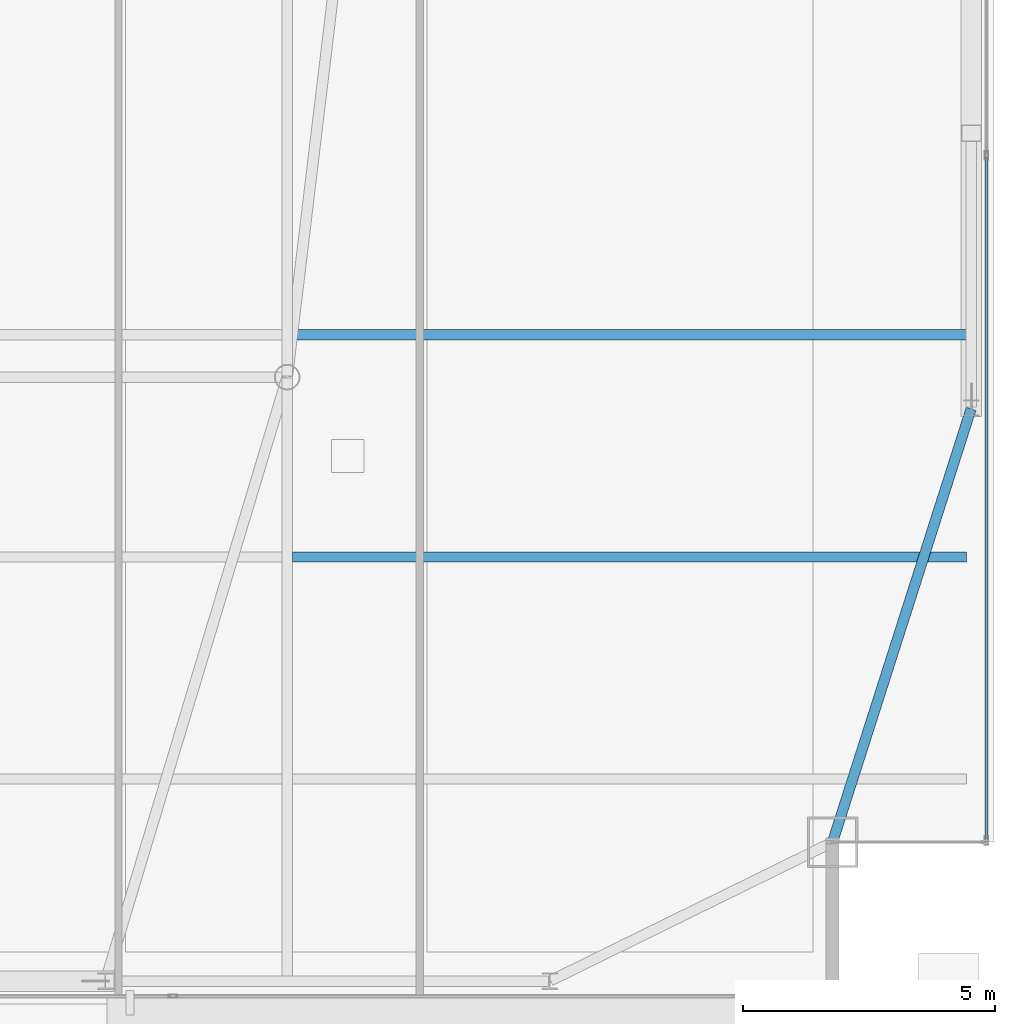
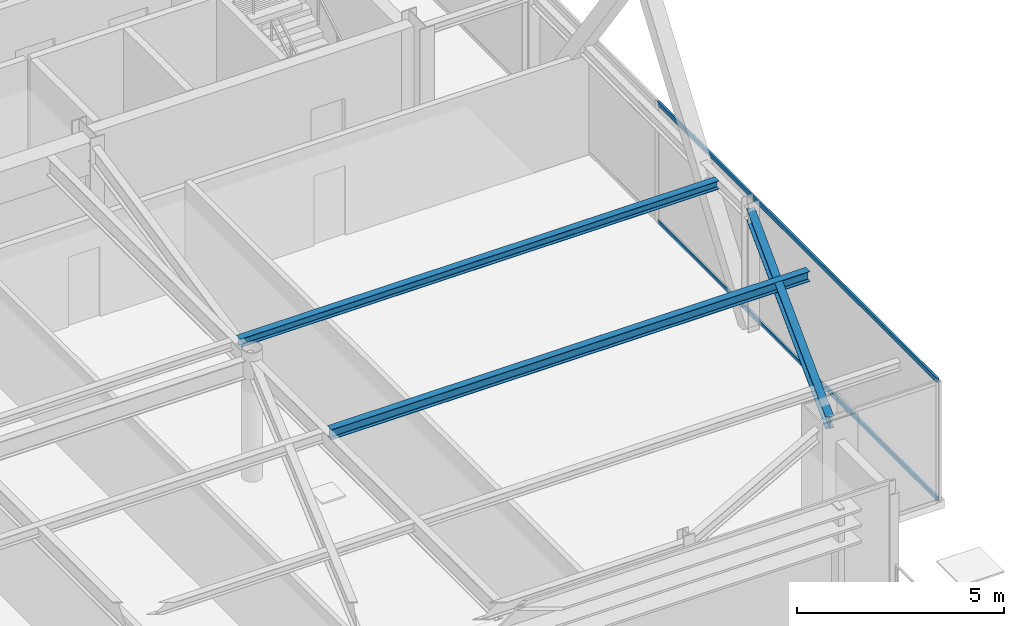
# One storey, part 12 of 25: 3 beams, 2 members, 1 element without a shape of its own.
"""IFC4 building model written with IfcOpenShell, lengths in metres."""

from ifc_helpers import new_model, si_unit, direction, frame, origin, origin_2d, place, context, subcontext, project, spatial, hollow_rectangle, i_section, extrude, source, transform, mapped, material, layer, layer_set, material_profile, profile_set, type_object, type_shapes, element, aggregate, save


model = new_model("IFC4")

# Units and contexts
model_context = context("Model", 3, precision=1e-05, world=origin(), true_north=direction((0.0, 1.0)))
body_context = subcontext(model_context, "Body", "Model", "MODEL_VIEW")
ifc_project = project(units=[si_unit("LENGTHUNIT", "METRE"), si_unit("AREAUNIT", "SQUARE_METRE"), si_unit("VOLUMEUNIT", "CUBIC_METRE"), si_unit("PLANEANGLEUNIT", "RADIAN"), si_unit("MASSUNIT", "GRAM", prefix="KILO")], contexts=[model_context])

# Site, building, storey
site_placement = place(None, origin())
site = spatial("IfcSite", under=ifc_project, at=site_placement, CompositionType="ELEMENT")
building_placement = place(site_placement, origin())
building = spatial("IfcBuilding", under=site, at=building_placement, Name="Varnel Quay Broadcast Tower", CompositionType="ELEMENT")
storey_placement = place(building_placement, frame((0.0, 0.0, 258.39990234375)))
storey = spatial("IfcBuildingStorey", under=building, at=storey_placement, Name="L64", CompositionType="ELEMENT", Elevation=258.39990234375)

# Beams
ifc_material_1 = material(Name="Structural Steel CSA G40.21 350W", Category="steel")
ifc_material_profile_1 = material_profile(ifc_material_1, i_section(OverallWidth=0.205078125, OverallDepth=0.35400390625, WebThickness=0.009521484375, FlangeThickness=0.016845703125, FilletRadius=0.012939453125, at=origin_2d()), Name="W360X79")
ifc_profile_set_1 = profile_set([ifc_material_profile_1], Name="Structural Steel CSA G40.21 350W")
beam_type_1 = type_object("IfcBeamType", Name="Beam_W360X79", PredefinedType="SPANDREL", material=ifc_profile_set_1)
shared_shape_1 = source(origin(), body_context, "Body", "SweptSolid", [
    extrude(i_section(OverallWidth=0.205078125, OverallDepth=0.35400390625, WebThickness=0.009521484375, FlangeThickness=0.016845703125, FilletRadius=0.012939453125, at=origin_2d()), origin(), (0.0, 0.0, 1.0), 8.989013671875),
])
type_shapes(beam_type_1, [shared_shape_1])
beam_1_placement = place(storey_placement, frame((52.80615234375, 16.4189453125, 3.373046875), z_axis=(0.304568770162, 0.952490348635, 0.0), x_axis=(-0.952490348635, 0.304568770162, 0.0)))
element("IfcBeam", 1, at=beam_1_placement, inside=storey, type_object=beam_type_1, Name="L64 East Spandrel MC-SE-TC-E1", PredefinedType="SPANDREL", context=body_context, shape_type="MappedRepresentation", body=[
    mapped(shared_shape_1, transform((0.0, 0.0, 0.0), x_axis=(1.0, 0.0, 0.0), y_axis=(0.0, 1.0, 0.0), z_axis=(0.0, 0.0, 1.0), scale=1.0)),
])
ifc_material_profile_2 = material_profile(ifc_material_1, i_section(OverallWidth=0.201904296875, OverallDepth=0.2470703125, WebThickness=0.00732421875, FlangeThickness=0.010986328125, FilletRadius=0.010986328125, at=origin_2d()), Name="W250X49")
ifc_profile_set_2 = profile_set([ifc_material_profile_2], Name="Structural Steel CSA G40.21 350W")
beam_type_2 = type_object("IfcBeamType", Name="Beam_W250X49", PredefinedType="JOIST", material=ifc_profile_set_2)
shared_shape_2 = source(origin(), body_context, "Body", "SweptSolid", [
    extrude(i_section(OverallWidth=0.201904296875, OverallDepth=0.2470703125, WebThickness=0.00732421875, FlangeThickness=0.010986328125, FilletRadius=0.010986328125, at=origin_2d()), origin(), (0.0, 0.0, 1.0), 13.351318359375),
])
type_shapes(beam_type_2, [shared_shape_2])
beam_2_placement = place(storey_placement, frame((42.10107421875, 26.449951171875, 3.426513671875), z_axis=(1.0, 0.0, 0.0), x_axis=(0.0, 1.0, 0.0)))
element("IfcBeam", 2, at=beam_2_placement, inside=storey, type_object=beam_type_2, Name="L64 East Floor Joist 3", PredefinedType="JOIST", context=body_context, shape_type="MappedRepresentation", body=[
    mapped(shared_shape_2, transform((0.0, 0.0, 0.0), x_axis=(1.0, 0.0, 0.0), y_axis=(0.0, 1.0, 0.0), z_axis=(0.0, 0.0, 1.0), scale=1.0)),
])
ifc_material_profile_3 = material_profile(ifc_material_1, i_section(OverallWidth=0.202880859375, OverallDepth=0.302978515625, WebThickness=0.007568359375, FlangeThickness=0.01318359375, FilletRadius=0.011962890625, at=origin_2d()), Name="W310X60")
ifc_profile_set_3 = profile_set([ifc_material_profile_3], Name="Structural Steel CSA G40.21 350W")
beam_type_3 = type_object("IfcBeamType", Name="Beam_W310X60", PredefinedType="JOIST", material=ifc_profile_set_3)
shared_shape_3 = source(origin(), body_context, "Body", "SweptSolid", [
    extrude(i_section(OverallWidth=0.202880859375, OverallDepth=0.302978515625, WebThickness=0.007568359375, FlangeThickness=0.01318359375, FilletRadius=0.011962890625, at=origin_2d()), origin(), (0.0, 0.0, 1.0), 13.351318359375),
])
type_shapes(beam_type_3, [shared_shape_3])
beam_3_placement = place(storey_placement, frame((42.10107421875, 22.050048828125, 3.398681640625), z_axis=(1.0, 0.0, 0.0), x_axis=(0.0, 1.0, 0.0)))
element("IfcBeam", 3, at=beam_3_placement, inside=storey, type_object=beam_type_3, Name="L64 East Floor Joist 2", PredefinedType="JOIST", context=body_context, shape_type="MappedRepresentation", body=[
    mapped(shared_shape_3, transform((0.0, 0.0, 0.0), x_axis=(1.0, 0.0, 0.0), y_axis=(0.0, 1.0, 0.0), z_axis=(0.0, 0.0, 1.0), scale=1.0)),
])

# Curtain wall, members
ifc_material_2 = material(Name="Anodised Bronze Aluminium 6063-T6", Category="aluminium")
ifc_layer = layer(ifc_material_2, 0.18994140625, Name="Anodised Bronze Aluminium 6063-T6")
ifc_layer_set = layer_set([ifc_layer], Name="Anodised Bronze Aluminium 6063-T6")
curtain_wall_type = type_object("IfcCurtainWallType", Name="CW_UpperTower", PredefinedType="NOTDEFINED", material=ifc_layer_set)
curtain_wall_placement = place(storey_placement, origin())
curtain_wall = element("IfcCurtainWall", 4, at=curtain_wall_placement, inside=storey, type_object=curtain_wall_type, Name="L64 East Unitised Curtain Wall", PredefinedType="NOTDEFINED")
ifc_material_profile_4 = material_profile(ifc_material_2, hollow_rectangle(XDim=0.06005859375, YDim=0.125, WallThickness=0.0029296875, at=origin_2d()), Name="ALU60X125X3")
ifc_profile_set_4 = profile_set([ifc_material_profile_4], Name="Anodised Bronze Aluminium 6063-T6")
member_type = type_object("IfcMemberType", Name="Tran_CWS-03", PredefinedType="USERDEFINED", material=ifc_profile_set_4)
shared_shape_4 = source(origin(), body_context, "Body", "SweptSolid", [
    extrude(hollow_rectangle(XDim=0.06005859375, YDim=0.125, WallThickness=0.0029296875, at=origin_2d()), origin(), (0.0, 0.0, 1.0), 13.50244140625),
])
type_shapes(member_type, [shared_shape_4])
member_1_placement = place(storey_placement, frame((55.85009765625, 16.465087890625, 0.030029296875), z_axis=(0.0, 1.0, 0.0), x_axis=(-1.0, 0.0, 0.0)))
member_1 = element("IfcMember", 5, at=member_1_placement, type_object=member_type, Name="CWS-03 transom 1.1", ObjectType="TRANSOM", PredefinedType="USERDEFINED", context=body_context, shape_type="MappedRepresentation", body=[
    mapped(shared_shape_4, transform((0.0, 0.0, 0.0), x_axis=(1.0, 0.0, 0.0), y_axis=(0.0, 1.0, 0.0), z_axis=(0.0, 0.0, 1.0), scale=1.0)),
])
member_2_placement = place(storey_placement, frame((55.85009765625, 16.465087890625, 3.52001953125), z_axis=(0.0, 1.0, 0.0), x_axis=(-1.0, 0.0, 0.0)))
member_2 = element("IfcMember", 6, at=member_2_placement, type_object=member_type, Name="CWS-03 transom 1.2", ObjectType="TRANSOM", PredefinedType="USERDEFINED", context=body_context, shape_type="MappedRepresentation", body=[
    mapped(shared_shape_4, transform((0.0, 0.0, 0.0), x_axis=(1.0, 0.0, 0.0), y_axis=(0.0, 1.0, 0.0), z_axis=(0.0, 0.0, 1.0), scale=1.0)),
])
aggregate(curtain_wall, [member_1, member_2])

save(model, "model.ifc")
